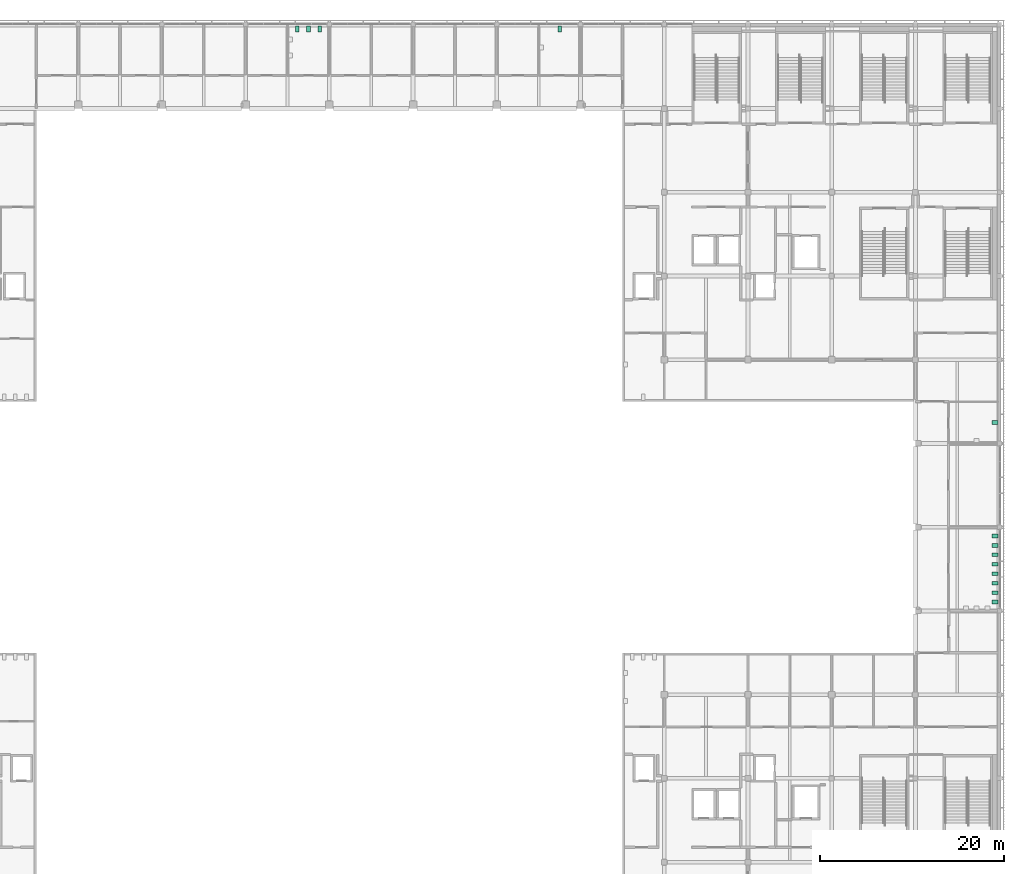
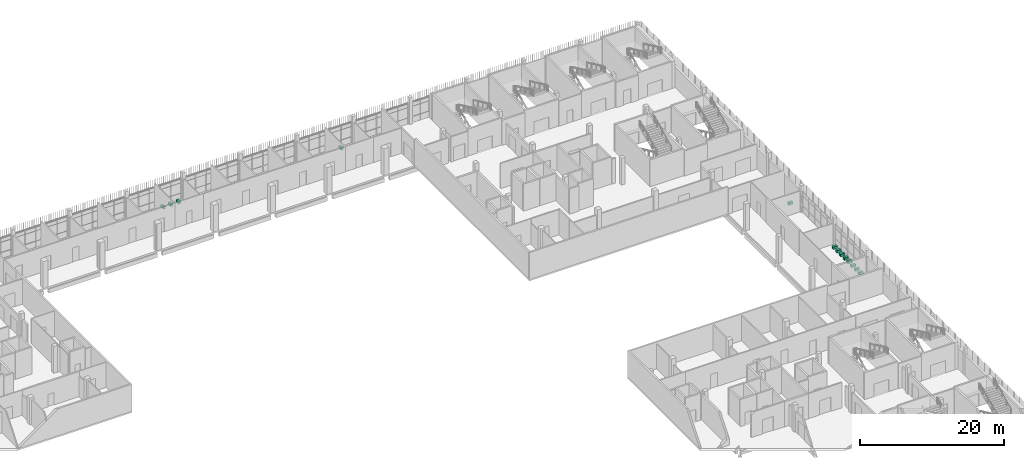
# One storey, part 124 of 124: 13 sanitary terminals.
"""IFC4 building model written with IfcOpenShell, lengths in metres."""

from ifc_helpers import new_model, si_unit, direction, frame, origin, origin_2d, place, context, subcontext, project, spatial, rectangle, extrude, element, save


model = new_model("IFC4")

# Units and contexts
model_context = context("Model", 3, precision=1e-05, world=origin(), true_north=direction((0.0, 1.0)))
body_context = subcontext(model_context, "Body", "Model", "MODEL_VIEW")
ifc_project = project(units=[si_unit("LENGTHUNIT", "METRE"), si_unit("AREAUNIT", "SQUARE_METRE"), si_unit("VOLUMEUNIT", "CUBIC_METRE"), si_unit("PLANEANGLEUNIT", "RADIAN"), si_unit("MASSUNIT", "GRAM", prefix="KILO")], contexts=[model_context])

# Site, building, storey
site_placement = place(None, origin())
site = spatial("IfcSite", under=ifc_project, at=site_placement, CompositionType="ELEMENT")
building_placement = place(site_placement, origin())
building = spatial("IfcBuilding", under=site, at=building_placement, Name="Shirokan Park Arena", CompositionType="ELEMENT")
storey_placement = place(building_placement, frame((0.0, 0.0, 20.02001953125)))
storey = spatial("IfcBuildingStorey", under=building, at=storey_placement, Name="L04", CompositionType="ELEMENT", Elevation=20.02001953125)

# Sanitary terminals
for number, where, z_axis, x_axis, name in (
    (1, (145.14990234375, 46.46240234375, 0.0), (0.0, 0.0, 1.0), (1.0, 0.0, 0.0), "Water closet Staff WC 4.22"),
    (2, (145.14990234375, 47.487548828125, 0.0), (0.0, 0.0, 1.0), (1.0, 0.0, 0.0), "Water closet Staff WC 4.22"),
    (3, (145.14990234375, 48.512451171875, 0.0), (0.0, 0.0, 1.0), (1.0, 0.0, 0.0), "Water closet Staff WC 4.22"),
    (4, (145.14990234375, 49.53759765625, 0.0), (0.0, 0.0, 1.0), (1.0, 0.0, 0.0), "Water closet Staff WC 4.22"),
    (5, (145.14990234375, 50.5625, 0.0), (0.0, 0.0, 1.0), (1.0, 0.0, 0.0), "Water closet Staff WC 4.22"),
    (6, (145.14990234375, 51.58740234375, 0.0), (0.0, 0.0, 1.0), (1.0, 0.0, 0.0), "Water closet Staff WC 4.22"),
    (7, (145.14990234375, 52.612548828125, 0.0), (0.0, 0.0, 1.0), (1.0, 0.0, 0.0), "Water closet Staff WC 4.22"),
    (8, (145.14990234375, 53.637451171875, 0.0), (0.0, 0.0, 1.0), (1.0, 0.0, 0.0), "Water closet Staff WC 4.22"),
    (9, (145.14990234375, 65.97509765625, 0.0), (0.0, 0.0, 1.0), (1.0, 0.0, 0.0), "Water closet Accessible WC 4.24"),
):
    element("IfcSanitaryTerminal", number, at=place(storey_placement, frame(where, z_axis=z_axis, x_axis=x_axis)), inside=storey, Name=name, PredefinedType="TOILETPAN", context=body_context, shape_type="SweptSolid", body=[
        extrude(rectangle(XDim=0.699951171875, YDim=0.39990234375, at=origin_2d()), origin(), (0.0, 0.0, 1.0), 0.39990234375),
    ])
for number, where, z_axis, x_axis, name in (
    (10, (97.824951171875, 108.75, 0.0), (0.0, 0.0, 1.0), (1.0, 0.0, 0.0), "Water closet Accessible WC 4.43"),
    (11, (69.308349609375, 108.75, 0.0), (0.0, 0.0, 1.0), (1.0, 0.0, 0.0), "Water closet Staff WC 4.37"),
    (12, (70.52490234375, 108.75, 0.0), (0.0, 0.0, 1.0), (1.0, 0.0, 0.0), "Water closet Staff WC 4.37"),
    (13, (71.74169921875, 108.75, 0.0), (0.0, 0.0, 1.0), (1.0, 0.0, 0.0), "Water closet Staff WC 4.37"),
):
    element("IfcSanitaryTerminal", number, at=place(storey_placement, frame(where, z_axis=z_axis, x_axis=x_axis)), inside=storey, Name=name, PredefinedType="TOILETPAN", context=body_context, shape_type="SweptSolid", body=[
        extrude(rectangle(XDim=0.39990234375, YDim=0.699951171875, at=origin_2d()), origin(), (0.0, 0.0, 1.0), 0.39990234375),
    ])

save(model, "model.ifc")
